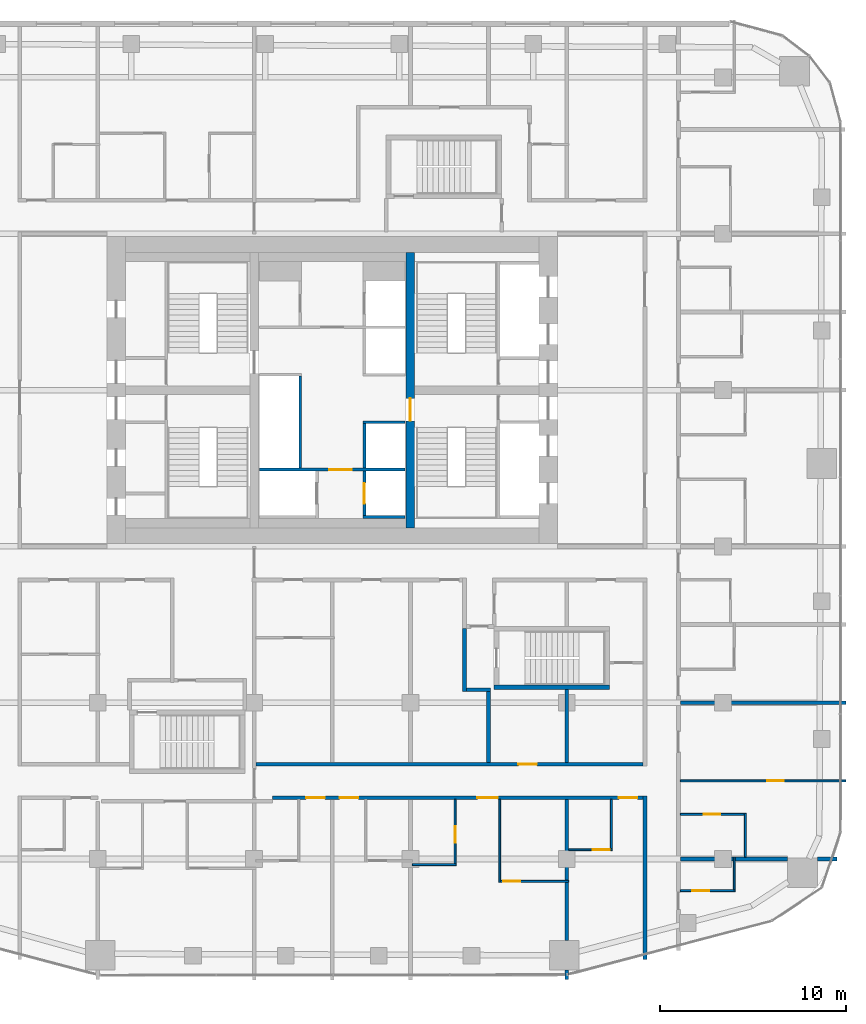
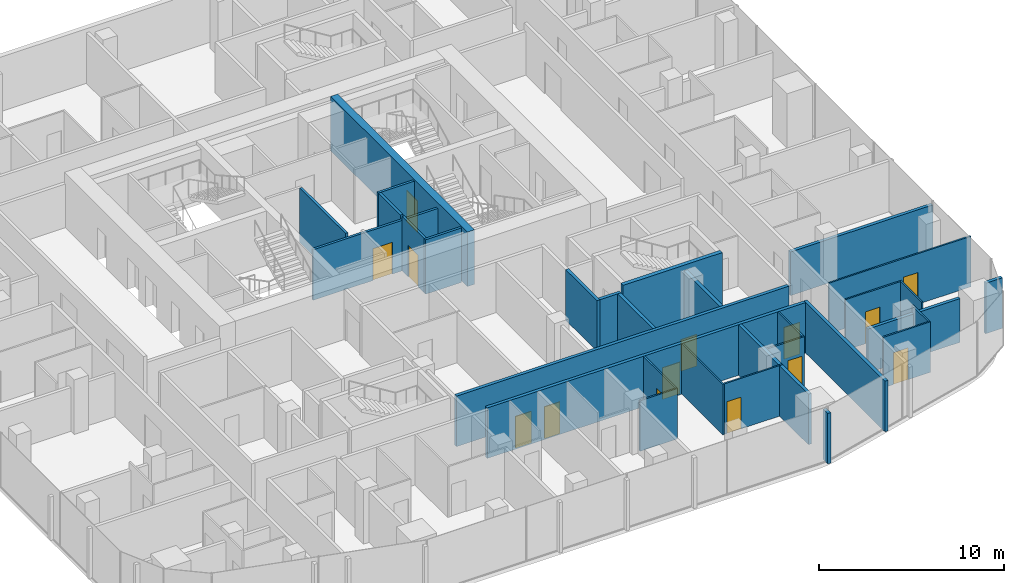
# One storey, part 16 of 23: 31 walls, 14 doors, 14 openings.
"""IFC4 building model written with IfcOpenShell, lengths in metres."""

from ifc_helpers import new_model, si_unit, direction, frame, frame_2d, origin, place, context, subcontext, project, spatial, rectangle, extrude, material, layer, layer_set, type_object, element, fill, save


model = new_model("IFC4")

# Units and contexts
model_context = context("Model", 3, precision=1e-05, world=origin(), true_north=direction((0.0, 1.0)))
body_context = subcontext(model_context, "Body", "Model", "MODEL_VIEW")
ifc_project = project(units=[si_unit("LENGTHUNIT", "METRE"), si_unit("AREAUNIT", "SQUARE_METRE"), si_unit("VOLUMEUNIT", "CUBIC_METRE"), si_unit("PLANEANGLEUNIT", "RADIAN"), si_unit("MASSUNIT", "GRAM", prefix="KILO")], contexts=[model_context])

# Site, building, storey
site_placement = place(None, origin())
site = spatial("IfcSite", under=ifc_project, at=site_placement, CompositionType="ELEMENT")
building_placement = place(site_placement, origin())
building = spatial("IfcBuilding", under=site, at=building_placement, Name="Marenta Gate Hotel Tower", CompositionType="ELEMENT")
storey_placement = place(building_placement, frame((0.0, 0.0, 126.5)))
storey = spatial("IfcBuildingStorey", under=building, at=storey_placement, Name="L28", CompositionType="ELEMENT", Elevation=126.5)

# Wall, opening, door
ifc_material_1 = material(Name="Concrete blockwork", Category="masonry")
ifc_layer_1 = layer(ifc_material_1, 0.14990234375)
ifc_layer_set_1 = layer_set([ifc_layer_1], Name="Concrete blockwork")
wall_type_1 = type_object("IfcWallType", Name="Core lobby partition 150 REI 180", PredefinedType="PARTITIONING", material=ifc_layer_set_1)
wall_1_placement = place(storey_placement, frame((-3.89990234375, 4.125, 0.0), z_axis=(0.0, 0.0, 1.0), x_axis=(1.0, 0.0, 0.0)))
wall_1 = element("IfcWall", 1, at=wall_1_placement, inside=storey, type_object=wall_type_1, Name="L28-CP-CW-S", PredefinedType="PARTITIONING", context=body_context, shape_type="SweptSolid", body=[
    extrude(rectangle(XDim=7.7998046875, YDim=0.14990234375, at=frame_2d((3.89990234375, 0.0))), origin(), (0.0, 0.0, 1.0), 3.340087890625),
])
opening_1_placement = place(wall_1_placement, frame((3.75, 0.0, 0.0)))
opening_1 = element("IfcOpeningElement", 2, at=opening_1_placement, cuts=wall_1, Name="Opening FD-FFS", PredefinedType="OPENING", context=body_context, shape_type="SweptSolid", body=[
    extrude(rectangle(XDim=1.199951171875, YDim=2.10009765625, at=frame_2d((0.60009765625, 1.050048828125))), frame((0.0, 0.074951171875, 0.0), z_axis=(0.0, -1.0, 0.0), x_axis=(1.0, 0.0, 0.0)), (0.0, 0.0, 1.0), 0.14990234375),
])
ifc_material_2 = material(Name="Steel", Category="steel")
door_type_1 = type_object("IfcDoorType", Name="Core lobby door 1200x2100 FD60", OperationType="SINGLE_SWING_LEFT", PredefinedType="DOOR", material=ifc_material_2)
door_1_placement = place(opening_1_placement, origin())
door_1 = element("IfcDoor", 3, at=door_1_placement, inside=storey, type_object=door_type_1, Name="FD-FFS", OperationType="SINGLE_SWING_LEFT", OverallHeight=2.10009765625, OverallWidth=1.199951171875, PredefinedType="DOOR", context=body_context, shape_type="SweptSolid", body=[
    extrude(rectangle(XDim=1.199951171875, YDim=2.10009765625, at=frame_2d((0.60009765625, 1.050048828125))), frame((0.0, 0.02490234375, 0.0), z_axis=(0.0, -1.0, 0.0), x_axis=(1.0, 0.0, 0.0)), (0.0, 0.0, 1.0), 0.050048828125),
])
fill(opening_1, door_1)

# Wall
ifc_material_3 = material(Name="Concrete C40", Category="concrete")
ifc_layer_2 = layer(ifc_material_3, 0.14990234375)
ifc_layer_set_2 = layer_set([ifc_layer_2], Name="Concrete C40")
wall_type_2 = type_object("IfcWallType", Name="Core shaft wall 150 REI 180", PredefinedType="SHEAR", material=ifc_layer_set_2)
wall_2_placement = place(storey_placement, frame((-1.72509765625, 4.199951171875, 0.0), z_axis=(0.0, 0.0, 1.0), x_axis=(0.0, 1.0, 0.0)))
element("IfcWall", 4, at=wall_2_placement, inside=storey, type_object=wall_type_2, Name="L28-SHF-CW-W-front", PredefinedType="SHEAR", context=body_context, shape_type="SweptSolid", body=[
    extrude(rectangle(XDim=4.949951171875, YDim=0.14990234375, at=frame_2d((2.47509765625, 0.0))), origin(), (0.0, 0.0, 1.0), 3.60009765625),
])

# Wall, opening, door
wall_3_placement = place(storey_placement, frame((1.72509765625, 1.64990234375, 0.0), z_axis=(0.0, 0.0, 1.0), x_axis=(0.0, 1.0, 0.0)))
wall_3 = element("IfcWall", 5, at=wall_3_placement, inside=storey, type_object=wall_type_2, Name="L28-SHF-CE-S-ls", PredefinedType="SHEAR", context=body_context, shape_type="SweptSolid", body=[
    extrude(rectangle(XDim=2.400146484375, YDim=0.14990234375, at=frame_2d((1.2001953125, 0.0))), origin(), (0.0, 0.0, 1.0), 3.60009765625),
])
opening_2_placement = place(wall_3_placement, frame((0.64990234375, 0.0, 0.0)))
opening_2 = element("IfcOpeningElement", 6, at=opening_2_placement, cuts=wall_3, Name="Opening LD-SV1", PredefinedType="OPENING", context=body_context, shape_type="SweptSolid", body=[
    extrude(rectangle(XDim=1.10009765625, YDim=2.10009765625, at=frame_2d((0.550048828125, 1.050048828125))), frame((0.0, 0.074951171875, 0.0), z_axis=(0.0, -1.0, 0.0), x_axis=(1.0, 0.0, 0.0)), (0.0, 0.0, 1.0), 0.14990234375),
])
ifc_material_4 = material(Name="Steel", Category="steel")
door_type_2 = type_object("IfcDoorType", Name="Core lift landing door 1100x2100 E 60", OperationType="SLIDING_TO_LEFT", PredefinedType="DOOR", material=ifc_material_4)
door_2_placement = place(opening_2_placement, origin())
door_2 = element("IfcDoor", 7, at=door_2_placement, inside=storey, type_object=door_type_2, Name="LD-SV1", OperationType="SLIDING_TO_LEFT", OverallHeight=2.10009765625, OverallWidth=1.10009765625, PredefinedType="DOOR", context=body_context, shape_type="SweptSolid", body=[
    extrude(rectangle(XDim=1.10009765625, YDim=2.10009765625, at=frame_2d((0.550048828125, 1.050048828125))), frame((0.0, 0.02490234375, 0.0), z_axis=(0.0, -1.0, 0.0), x_axis=(1.0, 0.0, 0.0)), (0.0, 0.0, 1.0), 0.050048828125),
])
fill(opening_2, door_2)

# Walls
for number, where, z_axis, x_axis, name in (
    (8, (1.64990234375, 1.574951171875, 0.0), (0.0, 0.0, 1.0), (1.0, 0.0, 0.0), "L28-SHF-CE-S-bot"),
    (9, (1.64990234375, 6.675048828125, 0.0), (0.0, 0.0, 1.0), (1.0, 0.0, 0.0), "L28-SHF-CE-sep1"),
):
    element("IfcWall", number, at=place(storey_placement, frame(where, z_axis=z_axis, x_axis=x_axis)), inside=storey, type_object=wall_type_2, Name=name, PredefinedType="SHEAR", context=body_context, shape_type="SweptSolid", body=[
        extrude(rectangle(XDim=2.25, YDim=0.14990234375, at=frame_2d((1.125, 0.0))), origin(), (0.0, 0.0, 1.0), 3.60009765625),
    ])
wall_4_placement = place(storey_placement, frame((1.72509765625, 4.199951171875, 0.0), z_axis=(0.0, 0.0, 1.0), x_axis=(0.0, 1.0, 0.0)))
element("IfcWall", 10, at=wall_4_placement, inside=storey, type_object=wall_type_2, Name="L28-SHF-CE-front-1", PredefinedType="SHEAR", context=body_context, shape_type="SweptSolid", body=[
    extrude(rectangle(XDim=2.400146484375, YDim=0.14990234375, at=frame_2d((1.2001953125, 0.0))), origin(), (0.0, 0.0, 1.0), 3.60009765625),
])

# Wall, opening, door
ifc_material_5 = material(Name="Concrete C70", Category="concrete")
ifc_layer_3 = layer(ifc_material_5, 0.449951171875)
ifc_layer_set_3 = layer_set([ifc_layer_3], Name="Concrete C70")
wall_type_3 = type_object("IfcWallType", Name="Core web 450 C70", PredefinedType="SHEAR", material=ifc_layer_set_3)
wall_5_placement = place(storey_placement, frame((4.199951171875, 1.0, 0.0), z_axis=(0.0, 0.0, 1.0), x_axis=(0.0, 1.0, 0.0)))
wall_5 = element("IfcWall", 11, at=wall_5_placement, inside=storey, type_object=wall_type_3, Name="L28-CORE-W2", PredefinedType="SHEAR", context=body_context, shape_type="SweptSolid", body=[
    extrude(rectangle(XDim=14.800048828125, YDim=0.449951171875, at=frame_2d((7.39990234375, 0.0))), origin(), (0.0, 0.0, 1.0), 3.60009765625),
])
opening_3_placement = place(wall_5_placement, frame((5.75, 0.0, 0.0)))
opening_3 = element("IfcOpeningElement", 12, at=opening_3_placement, cuts=wall_5, Name="Opening WD-E", PredefinedType="OPENING", context=body_context, shape_type="SweptSolid", body=[
    extrude(rectangle(XDim=1.199951171875, YDim=2.10009765625, at=frame_2d((0.60009765625, 1.050048828125))), frame((0.0, 0.22509765625, 0.0), z_axis=(0.0, -1.0, 0.0), x_axis=(1.0, 0.0, 0.0)), (0.0, 0.0, 1.0), 0.449951171875),
])
ifc_material_6 = material(Name="Steel", Category="steel")
door_type_3 = type_object("IfcDoorType", Name="Core stair door 1200x2100 FD60", OperationType="SINGLE_SWING_LEFT", PredefinedType="DOOR", material=ifc_material_6)
door_3_placement = place(opening_3_placement, origin())
door_3 = element("IfcDoor", 13, at=door_3_placement, inside=storey, type_object=door_type_3, Name="WD-E", OperationType="SINGLE_SWING_LEFT", OverallHeight=2.10009765625, OverallWidth=1.199951171875, PredefinedType="DOOR", context=body_context, shape_type="SweptSolid", body=[
    extrude(rectangle(XDim=1.199951171875, YDim=2.10009765625, at=frame_2d((0.60009765625, 1.050048828125))), frame((0.0, 0.02490234375, 0.0), z_axis=(0.0, -1.0, 0.0), x_axis=(1.0, 0.0, 0.0)), (0.0, 0.0, 1.0), 0.050048828125),
])
fill(opening_3, door_3)

# Wall
ifc_material_7 = material(Name="Concrete C40", Category="concrete")
ifc_layer_4 = layer(ifc_material_7, 0.25)
ifc_layer_set_4 = layer_set([ifc_layer_4], Name="Concrete C40")
wall_type_4 = type_object("IfcWallType", Name="Remote stair enclosure wall 250 REI 180", PredefinedType="SHEAR", material=ifc_layer_set_4)
wall_6_placement = place(storey_placement, frame((8.699951171875, -7.574951171875, 0.10009765625), z_axis=(0.0, 0.0, 1.0), x_axis=(1.0, 0.0, 0.0)))
element("IfcWall", 14, at=wall_6_placement, inside=storey, type_object=wall_type_4, Name="L28-RS-Z2-2-W1", PredefinedType="SHEAR", context=body_context, shape_type="SweptSolid", body=[
    extrude(rectangle(XDim=6.199951171875, YDim=0.25, at=frame_2d((3.10009765625, 0.0))), origin(), (0.0, 0.0, 1.0), 3.599853515625),
])

# Wall, opening, door
ifc_material_8 = material(Name="Concrete blockwork", Category="masonry")
ifc_layer_5 = layer(ifc_material_8, 0.199951171875)
ifc_layer_set_5 = layer_set([ifc_layer_5], Name="Concrete blockwork")
wall_type_5 = type_object("IfcWallType", Name="Room corridor wall 200 EI 120", PredefinedType="PARTITIONING", material=ifc_layer_set_5)
wall_7_placement = place(storey_placement, frame((-4.10009765625, -11.699951171875, 0.0), z_axis=(0.0, 0.0, 1.0), x_axis=(1.0, 0.0, 0.0)))
wall_7 = element("IfcWall", 15, at=wall_7_placement, inside=storey, type_object=wall_type_5, Name="L28-PTN-W040", PredefinedType="PARTITIONING", context=body_context, shape_type="SweptSolid", body=[
    extrude(rectangle(XDim=20.800048828125, YDim=0.199951171875, at=frame_2d((10.39990234375, 0.0))), origin(), (0.0, 0.0, 1.0), 3.340087890625),
])
opening_4_placement = place(wall_7_placement, frame((14.10009765625, 0.0, 0.0)))
opening_4 = element("IfcOpeningElement", 16, at=opening_4_placement, cuts=wall_7, Name="Opening G10-73", PredefinedType="OPENING", context=body_context, shape_type="SweptSolid", body=[
    extrude(rectangle(XDim=1.0, YDim=2.10009765625, at=frame_2d((0.5, 1.050048828125))), frame((0.0, 0.10009765625, 0.0), z_axis=(0.0, -1.0, 0.0), x_axis=(1.0, 0.0, 0.0)), (0.0, 0.0, 1.0), 0.199951171875),
])
ifc_material_9 = material(Name="Timber door leaf", Category="wood")
door_type_4 = type_object("IfcDoorType", Name="Room amenity door 1000x2100 EI 60", OperationType="NOTDEFINED", PredefinedType="DOOR", material=ifc_material_9)
door_4_placement = place(opening_4_placement, origin())
door_4 = element("IfcDoor", 17, at=door_4_placement, inside=storey, type_object=door_type_4, Name="L28-PD-D073", OperationType="SINGLE_SWING_LEFT", OverallHeight=2.10009765625, OverallWidth=1.0, PredefinedType="DOOR", context=body_context, shape_type="SweptSolid", body=[
    extrude(rectangle(XDim=1.0, YDim=2.10009765625, at=frame_2d((0.5, 1.050048828125))), frame((0.0, 0.02490234375, 0.0), z_axis=(0.0, -1.0, 0.0), x_axis=(1.0, 0.0, 0.0)), (0.0, 0.0, 1.0), 0.050048828125),
])
fill(opening_4, door_4)

# Wall
ifc_material_10 = material(Name="Gypsum board on steel stud", Category="steel")
ifc_layer_6 = layer(ifc_material_10, 0.199951171875)
ifc_layer_set_6 = layer_set([ifc_layer_6], Name="Gypsum board on steel stud")
wall_type_6 = type_object("IfcWallType", Name="Room corridor wall 200 EI 60", PredefinedType="PARTITIONING", material=ifc_layer_set_6)
wall_8_placement = place(storey_placement, frame((16.800048828125, -22.18603515625, 0.0), z_axis=(0.0, 0.0, 1.0), x_axis=(0.0, 1.0, 0.0)))
element("IfcWall", 18, at=wall_8_placement, inside=storey, type_object=wall_type_6, Name="L28-PTN-W020", PredefinedType="PARTITIONING", context=body_context, shape_type="SweptSolid", body=[
    extrude(rectangle(XDim=8.7861328125, YDim=0.199951171875, at=frame_2d((4.39306640625, 0.0))), origin(), (0.0, 0.0, 1.0), 3.340087890625),
])

# Wall, openings, doors
wall_9_placement = place(storey_placement, frame((-3.199951171875, -13.5, 0.0), z_axis=(0.0, 0.0, 1.0), x_axis=(1.0, 0.0, 0.0)))
wall_9 = element("IfcWall", 19, at=wall_9_placement, inside=storey, type_object=wall_type_6, Name="L28-PTN-W032", PredefinedType="PARTITIONING", context=body_context, shape_type="SweptSolid", body=[
    extrude(rectangle(XDim=19.89990234375, YDim=0.199951171875, at=frame_2d((9.949951171875, 0.0))), origin(), (0.0, 0.0, 1.0), 3.340087890625),
])
opening_5_placement = place(wall_9_placement, frame((1.800048828125, 0.0, 0.0)))
opening_5 = element("IfcOpeningElement", 20, at=opening_5_placement, cuts=wall_9, Name="Opening G10-45", PredefinedType="OPENING", context=body_context, shape_type="SweptSolid", body=[
    extrude(rectangle(XDim=1.0, YDim=2.10009765625, at=frame_2d((0.5, 1.050048828125))), frame((0.0, 0.10009765625, 0.0), z_axis=(0.0, -1.0, 0.0), x_axis=(1.0, 0.0, 0.0)), (0.0, 0.0, 1.0), 0.199951171875),
])
opening_6_placement = place(wall_9_placement, frame((3.60009765625, 0.0, 0.0)))
opening_6 = element("IfcOpeningElement", 21, at=opening_6_placement, cuts=wall_9, Name="Opening G10-47", PredefinedType="OPENING", context=body_context, shape_type="SweptSolid", body=[
    extrude(rectangle(XDim=1.0, YDim=2.10009765625, at=frame_2d((0.5, 1.050048828125))), frame((0.0, 0.10009765625, 0.0), z_axis=(0.0, -1.0, 0.0), x_axis=(1.0, 0.0, 0.0)), (0.0, 0.0, 1.0), 0.199951171875),
])
opening_7_placement = place(wall_9_placement, frame((11.0, 0.0, 0.0)))
opening_7 = element("IfcOpeningElement", 22, at=opening_7_placement, cuts=wall_9, Name="Opening G10-49", PredefinedType="OPENING", context=body_context, shape_type="SweptSolid", body=[
    extrude(rectangle(XDim=1.10009765625, YDim=2.10009765625, at=frame_2d((0.550048828125, 1.050048828125))), frame((0.0, 0.10009765625, 0.0), z_axis=(0.0, -1.0, 0.0), x_axis=(1.0, 0.0, 0.0)), (0.0, 0.0, 1.0), 0.199951171875),
])
opening_8_placement = place(wall_9_placement, frame((18.60009765625, 0.0, 0.0)))
opening_8 = element("IfcOpeningElement", 23, at=opening_8_placement, cuts=wall_9, Name="Opening G10-52", PredefinedType="OPENING", context=body_context, shape_type="SweptSolid", body=[
    extrude(rectangle(XDim=1.0, YDim=2.10009765625, at=frame_2d((0.5, 1.050048828125))), frame((0.0, 0.10009765625, 0.0), z_axis=(0.0, -1.0, 0.0), x_axis=(1.0, 0.0, 0.0)), (0.0, 0.0, 1.0), 0.199951171875),
])
ifc_material_11 = material(Name="Timber door leaf", Category="wood")
door_type_5 = type_object("IfcDoorType", Name="Guest room door 1000x2100 EI 30", OperationType="NOTDEFINED", PredefinedType="DOOR", material=ifc_material_11)
door_5_placement = place(opening_5_placement, origin())
door_5 = element("IfcDoor", 24, at=door_5_placement, inside=storey, type_object=door_type_5, Name="L28-PD-D045", OperationType="SINGLE_SWING_LEFT", OverallHeight=2.10009765625, OverallWidth=1.0, PredefinedType="DOOR", context=body_context, shape_type="SweptSolid", body=[
    extrude(rectangle(XDim=1.0, YDim=2.10009765625, at=frame_2d((0.5, 1.050048828125))), frame((0.0, 0.02490234375, 0.0), z_axis=(0.0, -1.0, 0.0), x_axis=(1.0, 0.0, 0.0)), (0.0, 0.0, 1.0), 0.050048828125),
])
fill(opening_5, door_5)
door_6_placement = place(opening_6_placement, origin())
door_6 = element("IfcDoor", 25, at=door_6_placement, inside=storey, type_object=door_type_5, Name="L28-PD-D047", OperationType="SINGLE_SWING_LEFT", OverallHeight=2.10009765625, OverallWidth=1.0, PredefinedType="DOOR", context=body_context, shape_type="SweptSolid", body=[
    extrude(rectangle(XDim=1.0, YDim=2.10009765625, at=frame_2d((0.5, 1.050048828125))), frame((0.0, 0.02490234375, 0.0), z_axis=(0.0, -1.0, 0.0), x_axis=(1.0, 0.0, 0.0)), (0.0, 0.0, 1.0), 0.050048828125),
])
fill(opening_6, door_6)
door_7_placement = place(opening_8_placement, origin())
door_7 = element("IfcDoor", 26, at=door_7_placement, inside=storey, type_object=door_type_5, Name="L28-PD-D052", OperationType="SINGLE_SWING_LEFT", OverallHeight=2.10009765625, OverallWidth=1.0, PredefinedType="DOOR", context=body_context, shape_type="SweptSolid", body=[
    extrude(rectangle(XDim=1.0, YDim=2.10009765625, at=frame_2d((0.5, 1.050048828125))), frame((0.0, 0.02490234375, 0.0), z_axis=(0.0, -1.0, 0.0), x_axis=(1.0, 0.0, 0.0)), (0.0, 0.0, 1.0), 0.050048828125),
])
fill(opening_8, door_7)
ifc_material_12 = material(Name="Timber door leaf", Category="wood")
door_type_6 = type_object("IfcDoorType", Name="Guest room door 1100x2100 EI 30", OperationType="NOTDEFINED", PredefinedType="DOOR", material=ifc_material_12)
door_8_placement = place(opening_7_placement, origin())
door_8 = element("IfcDoor", 27, at=door_8_placement, inside=storey, type_object=door_type_6, Name="L28-PD-D049", OperationType="SINGLE_SWING_LEFT", OverallHeight=2.10009765625, OverallWidth=1.10009765625, PredefinedType="DOOR", context=body_context, shape_type="SweptSolid", body=[
    extrude(rectangle(XDim=1.10009765625, YDim=2.10009765625, at=frame_2d((0.550048828125, 1.050048828125))), frame((0.0, 0.02490234375, 0.0), z_axis=(0.0, -1.0, 0.0), x_axis=(1.0, 0.0, 0.0)), (0.0, 0.0, 1.0), 0.050048828125),
])
fill(opening_7, door_8)

# Walls
ifc_material_13 = material(Name="Gypsum board on steel stud", Category="steel")
ifc_layer_7 = layer(ifc_material_13, 0.10009765625)
ifc_layer_set_7 = layer_set([ifc_layer_7], Name="Gypsum board on steel stud")
wall_type_7 = type_object("IfcWallType", Name="Room partition 100", PredefinedType="PARTITIONING", material=ifc_layer_set_7)
wall_10_placement = place(storey_placement, frame((22.199951171875, -16.699951171875, 0.0), z_axis=(0.0, 0.0, 1.0), x_axis=(0.0, 1.0, 0.0)))
element("IfcWall", 28, at=wall_10_placement, inside=storey, type_object=wall_type_7, Name="L28-PTN-W001", PredefinedType="PARTITIONING", context=body_context, shape_type="SweptSolid", body=[
    extrude(rectangle(XDim=2.349853515625, YDim=0.10009765625, at=frame_2d((1.1748046875, 0.0))), origin(), (0.0, 0.0, 1.0), 3.340087890625),
])
wall_11_placement = place(storey_placement, frame((21.60009765625, -18.449951171875, 0.0), z_axis=(0.0, 0.0, 1.0), x_axis=(0.0, 1.0, 0.0)))
element("IfcWall", 29, at=wall_11_placement, inside=storey, type_object=wall_type_7, Name="L28-PTN-W005", PredefinedType="PARTITIONING", context=body_context, shape_type="SweptSolid", body=[
    extrude(rectangle(XDim=1.75, YDim=0.10009765625, at=frame_2d((0.875, 0.0))), origin(), (0.0, 0.0, 1.0), 3.340087890625),
])

# Wall, opening, door
wall_12_placement = place(storey_placement, frame((18.699951171875, -18.5, 0.0), z_axis=(0.0, 0.0, 1.0), x_axis=(1.0, 0.0, 0.0)))
wall_12 = element("IfcWall", 30, at=wall_12_placement, inside=storey, type_object=wall_type_7, Name="L28-PTN-W013", PredefinedType="PARTITIONING", context=body_context, shape_type="SweptSolid", body=[
    extrude(rectangle(XDim=2.949951171875, YDim=0.10009765625, at=frame_2d((1.47509765625, 0.0))), origin(), (0.0, 0.0, 1.0), 3.340087890625),
])
opening_9_placement = place(wall_12_placement, frame((0.64990234375, 0.0, 0.0)))
opening_9 = element("IfcOpeningElement", 31, at=opening_9_placement, cuts=wall_12, Name="Opening G10-11", PredefinedType="OPENING", context=body_context, shape_type="SweptSolid", body=[
    extrude(rectangle(XDim=0.89990234375, YDim=2.10009765625, at=frame_2d((0.449951171875, 1.050048828125))), frame((0.0, 0.050048828125, 0.0), z_axis=(0.0, -1.0, 0.0), x_axis=(1.0, 0.0, 0.0)), (0.0, 0.0, 1.0), 0.10009765625),
])
ifc_material_14 = material(Name="Timber door leaf", Category="wood")
door_type_7 = type_object("IfcDoorType", Name="Guest bathroom door 900x2100", OperationType="NOTDEFINED", PredefinedType="DOOR", material=ifc_material_14)
door_9_placement = place(opening_9_placement, origin())
door_9 = element("IfcDoor", 32, at=door_9_placement, inside=storey, type_object=door_type_7, Name="L28-PD-D011", OperationType="SINGLE_SWING_LEFT", OverallHeight=2.10009765625, OverallWidth=0.89990234375, PredefinedType="DOOR", context=body_context, shape_type="SweptSolid", body=[
    extrude(rectangle(XDim=0.89990234375, YDim=2.10009765625, at=frame_2d((0.449951171875, 1.050048828125))), frame((0.0, 0.02490234375, 0.0), z_axis=(0.0, -1.0, 0.0), x_axis=(1.0, 0.0, 0.0)), (0.0, 0.0, 1.0), 0.050048828125),
])
fill(opening_9, door_9)

wall_13_placement = place(storey_placement, frame((9.050048828125, -18.0, 0.0), z_axis=(0.0, 0.0, 1.0), x_axis=(1.0, 0.0, 0.0)))
wall_13 = element("IfcWall", 33, at=wall_13_placement, inside=storey, type_object=wall_type_7, Name="L28-PTN-W014", PredefinedType="PARTITIONING", context=body_context, shape_type="SweptSolid", body=[
    extrude(rectangle(XDim=3.64990234375, YDim=0.10009765625, at=frame_2d((1.824951171875, 0.0))), origin(), (0.0, 0.0, 1.0), 3.340087890625),
])
opening_10_placement = place(wall_13_placement, frame((0.14990234375, 0.0, 0.0)))
opening_10 = element("IfcOpeningElement", 34, at=opening_10_placement, cuts=wall_13, Name="Opening G10-50", PredefinedType="OPENING", context=body_context, shape_type="SweptSolid", body=[
    extrude(rectangle(XDim=0.89990234375, YDim=2.10009765625, at=frame_2d((0.449951171875, 1.050048828125))), frame((0.0, 0.050048828125, 0.0), z_axis=(0.0, -1.0, 0.0), x_axis=(1.0, 0.0, 0.0)), (0.0, 0.0, 1.0), 0.10009765625),
])
door_10_placement = place(opening_10_placement, origin())
door_10 = element("IfcDoor", 35, at=door_10_placement, inside=storey, type_object=door_type_7, Name="L28-PD-D050", OperationType="SINGLE_SWING_LEFT", OverallHeight=2.10009765625, OverallWidth=0.89990234375, PredefinedType="DOOR", context=body_context, shape_type="SweptSolid", body=[
    extrude(rectangle(XDim=0.89990234375, YDim=2.10009765625, at=frame_2d((0.449951171875, 1.050048828125))), frame((0.0, 0.02490234375, 0.0), z_axis=(0.0, -1.0, 0.0), x_axis=(1.0, 0.0, 0.0)), (0.0, 0.0, 1.0), 0.050048828125),
])
fill(opening_10, door_10)

# Wall
wall_14_placement = place(storey_placement, frame((4.300048828125, -17.10009765625, 0.0), z_axis=(0.0, 0.0, 1.0), x_axis=(1.0, 0.0, 0.0)))
element("IfcWall", 36, at=wall_14_placement, inside=storey, type_object=wall_type_7, Name="L28-PTN-W017", PredefinedType="PARTITIONING", context=body_context, shape_type="SweptSolid", body=[
    extrude(rectangle(XDim=2.349853515625, YDim=0.10009765625, at=frame_2d((1.1748046875, 0.0))), origin(), (0.0, 0.0, 1.0), 3.340087890625),
])

# Wall, opening, door
wall_15_placement = place(storey_placement, frame((12.699951171875, -16.300048828125, 0.0), z_axis=(0.0, 0.0, 1.0), x_axis=(1.0, 0.0, 0.0)))
wall_15 = element("IfcWall", 37, at=wall_15_placement, inside=storey, type_object=wall_type_7, Name="L28-PTN-W026", PredefinedType="PARTITIONING", context=body_context, shape_type="SweptSolid", body=[
    extrude(rectangle(XDim=2.35009765625, YDim=0.10009765625, at=frame_2d((1.175048828125, 0.0))), origin(), (0.0, 0.0, 1.0), 3.340087890625),
])
opening_11_placement = place(wall_15_placement, frame((1.300048828125, 0.0, 0.0)))
opening_11 = element("IfcOpeningElement", 38, at=opening_11_placement, cuts=wall_15, Name="Opening G10-53", PredefinedType="OPENING", context=body_context, shape_type="SweptSolid", body=[
    extrude(rectangle(XDim=0.89990234375, YDim=2.10009765625, at=frame_2d((0.449951171875, 1.050048828125))), frame((0.0, 0.050048828125, 0.0), z_axis=(0.0, -1.0, 0.0), x_axis=(1.0, 0.0, 0.0)), (0.0, 0.0, 1.0), 0.10009765625),
])
door_11_placement = place(opening_11_placement, origin())
door_11 = element("IfcDoor", 39, at=door_11_placement, inside=storey, type_object=door_type_7, Name="L28-PD-D053", OperationType="SINGLE_SWING_RIGHT", OverallHeight=2.10009765625, OverallWidth=0.89990234375, PredefinedType="DOOR", context=body_context, shape_type="SweptSolid", body=[
    extrude(rectangle(XDim=0.89990234375, YDim=2.10009765625, at=frame_2d((0.449951171875, 1.050048828125))), frame((0.0, 0.02490234375, 0.0), z_axis=(0.0, -1.0, 0.0), x_axis=(1.0, 0.0, 0.0)), (0.0, 0.0, 1.0), 0.050048828125),
])
fill(opening_11, door_11)

# Wall
wall_16_placement = place(storey_placement, frame((15.0, -16.25, 0.0), z_axis=(0.0, 0.0, 1.0), x_axis=(0.0, 1.0, 0.0)))
element("IfcWall", 40, at=wall_16_placement, inside=storey, type_object=wall_type_7, Name="L28-PTN-W027", PredefinedType="PARTITIONING", context=body_context, shape_type="SweptSolid", body=[
    extrude(rectangle(XDim=2.64990234375, YDim=0.10009765625, at=frame_2d((1.324951171875, 0.0))), origin(), (0.0, 0.0, 1.0), 3.340087890625),
])

# Wall, opening, door
wall_17_placement = place(storey_placement, frame((18.699951171875, -14.39990234375, 0.0), z_axis=(0.0, 0.0, 1.0), x_axis=(1.0, 0.0, 0.0)))
wall_17 = element("IfcWall", 41, at=wall_17_placement, inside=storey, type_object=wall_type_7, Name="L28-PTN-W029", PredefinedType="PARTITIONING", context=body_context, shape_type="SweptSolid", body=[
    extrude(rectangle(XDim=3.449951171875, YDim=0.10009765625, at=frame_2d((1.72509765625, 0.0))), origin(), (0.0, 0.0, 1.0), 3.340087890625),
])
opening_12_placement = place(wall_17_placement, frame((1.25, 0.0, 0.0)))
opening_12 = element("IfcOpeningElement", 42, at=opening_12_placement, cuts=wall_17, Name="Opening G10-14", PredefinedType="OPENING", context=body_context, shape_type="SweptSolid", body=[
    extrude(rectangle(XDim=0.89990234375, YDim=2.10009765625, at=frame_2d((0.449951171875, 1.050048828125))), frame((0.0, 0.050048828125, 0.0), z_axis=(0.0, -1.0, 0.0), x_axis=(1.0, 0.0, 0.0)), (0.0, 0.0, 1.0), 0.10009765625),
])
door_12_placement = place(opening_12_placement, origin())
door_12 = element("IfcDoor", 43, at=door_12_placement, inside=storey, type_object=door_type_7, Name="L28-PD-D014", OperationType="SINGLE_SWING_RIGHT", OverallHeight=2.10009765625, OverallWidth=0.89990234375, PredefinedType="DOOR", context=body_context, shape_type="SweptSolid", body=[
    extrude(rectangle(XDim=0.89990234375, YDim=2.10009765625, at=frame_2d((0.449951171875, 1.050048828125))), frame((0.0, 0.02490234375, 0.0), z_axis=(0.0, -1.0, 0.0), x_axis=(1.0, 0.0, 0.0)), (0.0, 0.0, 1.0), 0.050048828125),
])
fill(opening_12, door_12)

wall_18_placement = place(storey_placement, frame((18.699951171875, -12.60009765625, 0.0), z_axis=(0.0, 0.0, 1.0), x_axis=(1.0, 0.0, 0.0)))
wall_18 = element("IfcWall", 44, at=wall_18_placement, inside=storey, type_object=wall_type_7, Name="L28-PTN-W038", PredefinedType="PARTITIONING", context=body_context, shape_type="SweptSolid", body=[
    extrude(rectangle(XDim=8.900146484375, YDim=0.10009765625, at=frame_2d((4.4501953125, 0.0))), origin(), (0.0, 0.0, 1.0), 3.340087890625),
])
opening_13_placement = place(wall_18_placement, frame((4.669921875, 0.0, 0.0)))
opening_13 = element("IfcOpeningElement", 45, at=opening_13_placement, cuts=wall_18, Name="Opening G10-13", PredefinedType="OPENING", context=body_context, shape_type="SweptSolid", body=[
    extrude(rectangle(XDim=0.89990234375, YDim=2.10009765625, at=frame_2d((0.449951171875, 1.050048828125))), frame((0.0, 0.050048828125, 0.0), z_axis=(0.0, -1.0, 0.0), x_axis=(1.0, 0.0, 0.0)), (0.0, 0.0, 1.0), 0.10009765625),
])
ifc_material_15 = material(Name="Timber door leaf", Category="wood")
door_type_8 = type_object("IfcDoorType", Name="Room inner door 900x2100", OperationType="NOTDEFINED", PredefinedType="DOOR", material=ifc_material_15)
door_13_placement = place(opening_13_placement, origin())
door_13 = element("IfcDoor", 46, at=door_13_placement, inside=storey, type_object=door_type_8, Name="L28-PD-D013", OperationType="SINGLE_SWING_RIGHT", OverallHeight=2.10009765625, OverallWidth=0.89990234375, PredefinedType="DOOR", context=body_context, shape_type="SweptSolid", body=[
    extrude(rectangle(XDim=0.89990234375, YDim=2.10009765625, at=frame_2d((0.449951171875, 1.050048828125))), frame((0.0, 0.02490234375, 0.0), z_axis=(0.0, -1.0, 0.0), x_axis=(1.0, 0.0, 0.0)), (0.0, 0.0, 1.0), 0.050048828125),
])
fill(opening_13, door_13)

# Wall
wall_19_placement = place(storey_placement, frame((9.0, -18.050048828125, 0.0), z_axis=(0.0, 0.0, 1.0), x_axis=(0.0, 1.0, 0.0)))
element("IfcWall", 47, at=wall_19_placement, inside=storey, type_object=wall_type_7, Name="L28-PTN-W044", PredefinedType="PARTITIONING", context=body_context, shape_type="SweptSolid", body=[
    extrude(rectangle(XDim=4.449951171875, YDim=0.10009765625, at=frame_2d((2.22509765625, 0.0))), origin(), (0.0, 0.0, 1.0), 3.340087890625),
])

# Wall, opening, door
wall_20_placement = place(storey_placement, frame((6.60009765625, -17.050048828125, 0.0), z_axis=(0.0, 0.0, 1.0), x_axis=(0.0, 1.0, 0.0)))
wall_20 = element("IfcWall", 48, at=wall_20_placement, inside=storey, type_object=wall_type_7, Name="L28-PTN-W055", PredefinedType="PARTITIONING", context=body_context, shape_type="SweptSolid", body=[
    extrude(rectangle(XDim=3.449951171875, YDim=0.10009765625, at=frame_2d((1.72509765625, 0.0))), origin(), (0.0, 0.0, 1.0), 3.340087890625),
])
opening_14_placement = place(wall_20_placement, frame((1.1201171875, 0.0, 0.0)))
opening_14 = element("IfcOpeningElement", 49, at=opening_14_placement, cuts=wall_20, Name="Opening G10-51", PredefinedType="OPENING", context=body_context, shape_type="SweptSolid", body=[
    extrude(rectangle(XDim=0.89990234375, YDim=2.10009765625, at=frame_2d((0.449951171875, 1.050048828125))), frame((0.0, 0.050048828125, 0.0), z_axis=(0.0, -1.0, 0.0), x_axis=(1.0, 0.0, 0.0)), (0.0, 0.0, 1.0), 0.10009765625),
])
door_14_placement = place(opening_14_placement, origin())
door_14 = element("IfcDoor", 50, at=door_14_placement, inside=storey, type_object=door_type_8, Name="L28-PD-D051", OperationType="SINGLE_SWING_LEFT", OverallHeight=2.10009765625, OverallWidth=0.89990234375, PredefinedType="DOOR", context=body_context, shape_type="SweptSolid", body=[
    extrude(rectangle(XDim=0.89990234375, YDim=2.10009765625, at=frame_2d((0.449951171875, 1.050048828125))), frame((0.0, 0.02490234375, 0.0), z_axis=(0.0, -1.0, 0.0), x_axis=(1.0, 0.0, 0.0)), (0.0, 0.0, 1.0), 0.050048828125),
])
fill(opening_14, door_14)

# Walls
ifc_material_16 = material(Name="Concrete blockwork", Category="masonry")
ifc_layer_8 = layer(ifc_material_16, 0.199951171875)
ifc_layer_set_8 = layer_set([ifc_layer_8], Name="Concrete blockwork")
wall_type_8 = type_object("IfcWallType", Name="Room party wall 200 EI 120", PredefinedType="PARTITIONING", material=ifc_layer_set_8)
wall_21_placement = place(storey_placement, frame((12.60009765625, -11.60009765625, 0.0), z_axis=(0.0, 0.0, 1.0), x_axis=(0.0, 1.0, 0.0)))
element("IfcWall", 51, at=wall_21_placement, inside=storey, type_object=wall_type_8, Name="L28-PTN-W034", PredefinedType="PARTITIONING", context=body_context, shape_type="SweptSolid", body=[
    extrude(rectangle(XDim=3.900146484375, YDim=0.199951171875, at=frame_2d((1.9501953125, 0.0))), origin(), (0.0, 0.0, 1.0), 3.340087890625),
])
ifc_material_17 = material(Name="Gypsum board on steel stud", Category="steel")
ifc_layer_9 = layer(ifc_material_17, 0.199951171875)
ifc_layer_set_9 = layer_set([ifc_layer_9], Name="Gypsum board on steel stud")
wall_type_9 = type_object("IfcWallType", Name="Room party wall 200 EI 60", PredefinedType="PARTITIONING", material=ifc_layer_set_9)
wall_22_placement = place(storey_placement, frame((18.699951171875, -16.800048828125, 0.0), z_axis=(0.0, 0.0, 1.0), x_axis=(1.0, 0.0, 0.0)))
element("IfcWall", 52, at=wall_22_placement, inside=storey, type_object=wall_type_9, Name="L28-PTN-W024", PredefinedType="PARTITIONING", context=body_context, shape_type="SweptSolid", body=[
    extrude(rectangle(XDim=5.762939453125, YDim=0.199951171875, at=frame_2d((2.88134765625, 0.0))), origin(), (0.0, 0.0, 1.0), 2.889892578125),
])
wall_23_placement = place(storey_placement, frame((26.06298828125, -16.800048828125, 0.0), z_axis=(0.0, 0.0, 1.0), x_axis=(1.0, 0.0, 0.0)))
element("IfcWall", 53, at=wall_23_placement, inside=storey, type_object=wall_type_9, Name="L28-PTN-W133", PredefinedType="PARTITIONING", context=body_context, shape_type="SweptSolid", body=[
    extrude(rectangle(XDim=1.049072265625, YDim=0.199951171875, at=frame_2d((0.5244140625, 0.0))), origin(), (0.0, 0.0, 1.0), 3.340087890625),
])
wall_24_placement = place(storey_placement, frame((12.60009765625, -23.26611328125, 0.0), z_axis=(0.0, 0.0, 1.0), x_axis=(0.0, 1.0, 0.0)))
element("IfcWall", 54, at=wall_24_placement, inside=storey, type_object=wall_type_9, Name="L28-PTN-W033", PredefinedType="PARTITIONING", context=body_context, shape_type="SweptSolid", body=[
    extrude(rectangle(XDim=0.4912109375, YDim=0.199951171875, at=frame_2d((0.24560546875, 0.0))), origin(), (0.0, 0.0, 1.0), 3.340087890625),
])
wall_25_placement = place(storey_placement, frame((12.60009765625, -21.175048828125, 0.0), z_axis=(0.0, 0.0, 1.0), x_axis=(0.0, 1.0, 0.0)))
element("IfcWall", 55, at=wall_25_placement, inside=storey, type_object=wall_type_9, Name="L28-PTN-W134", PredefinedType="PARTITIONING", context=body_context, shape_type="SweptSolid", body=[
    extrude(rectangle(XDim=7.574951171875, YDim=0.199951171875, at=frame_2d((3.78759765625, 0.0))), origin(), (0.0, 0.0, 1.0), 3.340087890625),
])
wall_26_placement = place(storey_placement, frame((8.39990234375, -11.60009765625, 0.0), z_axis=(0.0, 0.0, 1.0), x_axis=(0.0, 1.0, 0.0)))
element("IfcWall", 56, at=wall_26_placement, inside=storey, type_object=wall_type_9, Name="L28-PTN-W046", PredefinedType="PARTITIONING", context=body_context, shape_type="SweptSolid", body=[
    extrude(rectangle(XDim=3.800048828125, YDim=0.199951171875, at=frame_2d((1.89990234375, 0.0))), origin(), (0.0, 0.0, 1.0), 3.340087890625),
])
wall_27_placement = place(storey_placement, frame((18.699951171875, -8.39990234375, 0.0), z_axis=(0.0, 0.0, 1.0), x_axis=(1.0, 0.0, 0.0)))
element("IfcWall", 57, at=wall_27_placement, inside=storey, type_object=wall_type_9, Name="L28-PTN-W049", PredefinedType="PARTITIONING", context=body_context, shape_type="SweptSolid", body=[
    extrude(rectangle(XDim=8.900146484375, YDim=0.199951171875, at=frame_2d((4.4501953125, 0.0))), origin(), (0.0, 0.0, 1.0), 2.889892578125),
])
ifc_material_18 = material(Name="Concrete blockwork", Category="masonry")
ifc_layer_10 = layer(ifc_material_18, 0.199951171875)
ifc_layer_set_10 = layer_set([ifc_layer_10], Name="Concrete blockwork")
wall_type_10 = type_object("IfcWallType", Name="Room party wall 200 REI 180", PredefinedType="PARTITIONING", material=ifc_layer_set_10)
wall_28_placement = place(storey_placement, frame((7.199951171875, -7.699951171875, 0.0), z_axis=(0.0, 0.0, 1.0), x_axis=(1.0, 0.0, 0.0)))
element("IfcWall", 58, at=wall_28_placement, inside=storey, type_object=wall_type_10, Name="L28-PTN-W050", PredefinedType="PARTITIONING", context=body_context, shape_type="SweptSolid", body=[
    extrude(rectangle(XDim=1.300048828125, YDim=0.199951171875, at=frame_2d((0.64990234375, 0.0))), origin(), (0.0, 0.0, 1.0), 3.340087890625),
])
wall_29_placement = place(storey_placement, frame((7.10009765625, -7.800048828125, 0.0), z_axis=(0.0, 0.0, 1.0), x_axis=(0.0, 1.0, 0.0)))
element("IfcWall", 59, at=wall_29_placement, inside=storey, type_object=wall_type_10, Name="L28-PTN-W053", PredefinedType="PARTITIONING", context=body_context, shape_type="SweptSolid", body=[
    extrude(rectangle(XDim=3.400146484375, YDim=0.199951171875, at=frame_2d((1.7001953125, 0.0))), origin(), (0.0, 0.0, 1.0), 3.340087890625),
])

save(model, "model.ifc")
